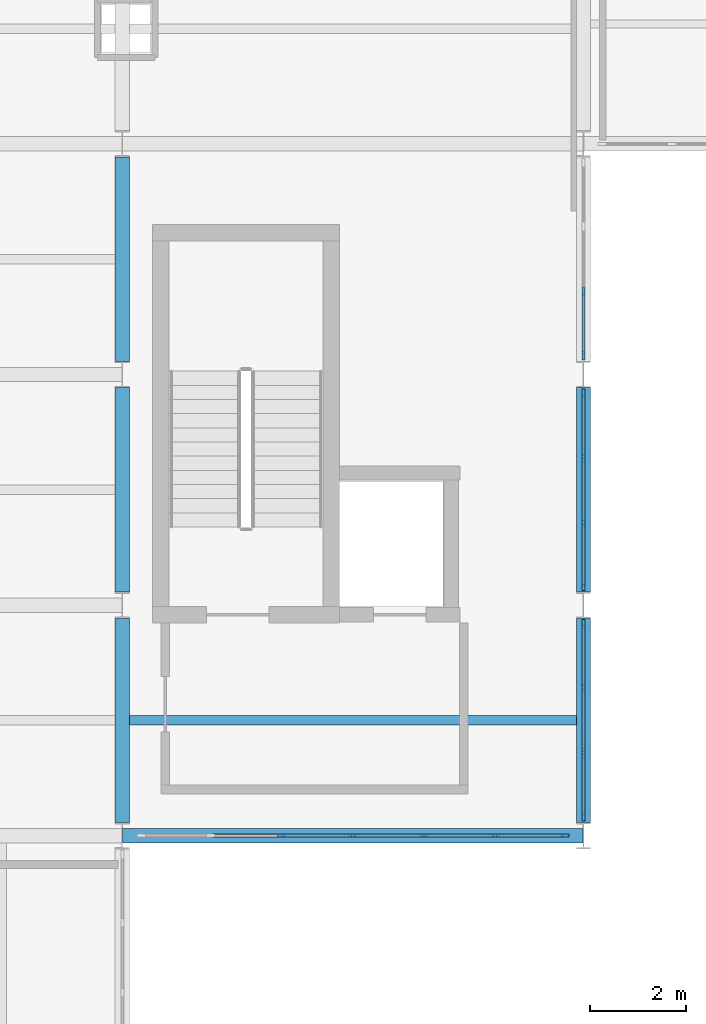
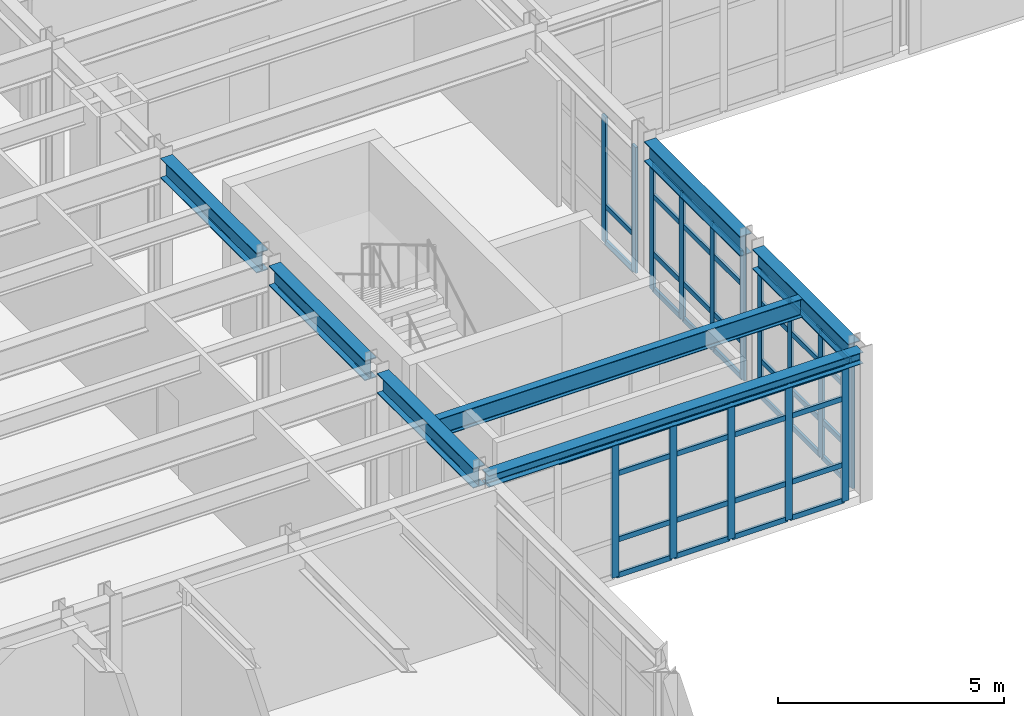
# One storey, part 29 of 88: 58 members, 7 beams, 4 elements without a shape of their own.
"""IFC4 building model written with IfcOpenShell, lengths in metres."""

from ifc_helpers import new_model, si_unit, direction, frame, origin, origin_2d, place, context, subcontext, project, spatial, rectangle, i_section, extrude, material, layer, layer_set, material_profile, profile_set, type_object, element, aggregate, save


model = new_model("IFC4")

# Units and contexts
model_context = context("Model", 3, precision=1e-05, world=origin(), true_north=direction((0.0, 1.0)))
body_context = subcontext(model_context, "Body", "Model", "MODEL_VIEW")
ifc_project = project(units=[si_unit("LENGTHUNIT", "METRE"), si_unit("AREAUNIT", "SQUARE_METRE"), si_unit("VOLUMEUNIT", "CUBIC_METRE"), si_unit("PLANEANGLEUNIT", "RADIAN"), si_unit("MASSUNIT", "GRAM", prefix="KILO")], contexts=[model_context])

# Site, building, storey
site_placement = place(None, origin())
site = spatial("IfcSite", under=ifc_project, at=site_placement, CompositionType="ELEMENT")
building_placement = place(site_placement, origin())
building = spatial("IfcBuilding", under=site, at=building_placement, Name="Nordkorset Police Headquarters", CompositionType="ELEMENT")
storey_placement = place(building_placement, frame((0.0, 0.0, 9.449951171875)))
storey = spatial("IfcBuildingStorey", under=building, at=storey_placement, Name="L02", CompositionType="ELEMENT", Elevation=9.449951171875)

# Beam
ifc_material_1 = material(Name="Steel S355J2", Category="steel")
ifc_material_profile_1 = material_profile(ifc_material_1, i_section(OverallWidth=0.199951171875, OverallDepth=0.5, WebThickness=0.01025390625, FlangeThickness=0.01611328125, FilletRadius=0.02099609375, at=origin_2d()), Name="IPE 500")
ifc_profile_set_1 = profile_set([ifc_material_profile_1], Name="Steel S355J2")
beam_type_1 = type_object("IfcBeamType", Name="Beam_IPE_500", PredefinedType="BEAM", material=ifc_profile_set_1)
beam_1_placement = place(storey_placement, frame((19.35009765625, 85.60009765625, 3.719970703125), z_axis=(1.0, 0.0, 0.0), x_axis=(0.0, 1.0, 0.0)))
element("IfcBeam", 1, at=beam_1_placement, inside=storey, type_object=beam_type_1, Name="Composite Floor Beam V1 L02 1-0-1", PredefinedType="BEAM", context=body_context, shape_type="SweptSolid", body=[
    extrude(i_section(OverallWidth=0.199951171875, OverallDepth=0.5, WebThickness=0.01025390625, FlangeThickness=0.01611328125, FilletRadius=0.02099609375, at=origin_2d()), origin(), (0.0, 0.0, 1.0), 9.2998046875),
])

# Curtain wall, members
ifc_material_2 = material(Name="Aluminium alloy AW-6060", Category="aluminium")
ifc_layer_1 = layer(ifc_material_2, 0.179931640625, Name="Aluminium alloy AW-6060")
ifc_layer_set_1 = layer_set([ifc_layer_1], Name="Aluminium alloy AW-6060")
curtain_wall_type_1 = type_object("IfcCurtainWallType", Name="CW_Unit_408x341", PredefinedType="USERDEFINED", material=ifc_layer_set_1)
curtain_wall_1_placement = place(storey_placement, origin())
curtain_wall_1 = element("IfcCurtainWall", 2, at=curtain_wall_1_placement, inside=storey, type_object=curtain_wall_type_1, Name="Unitised Curtain Wall L02 V1E-0", ObjectType="UNITISED CURTAIN WALL", PredefinedType="USERDEFINED")
ifc_material_3 = material(Name="Aluminium alloy AW-6060", Category="aluminium")
ifc_material_profile_2 = material_profile(ifc_material_3, rectangle(XDim=0.06494140625, YDim=0.179931640625, at=origin_2d()), Name="ALU MULL 65x180")
ifc_profile_set_2 = profile_set([ifc_material_profile_2], Name="Aluminium alloy AW-6060")
member_type_1 = type_object("IfcMemberType", Name="CW_Mullion_65x180", PredefinedType="MULLION", material=ifc_profile_set_2)
member_1_placement = place(storey_placement, frame((28.800048828125, 83.592529296875, 0.0), z_axis=(0.0, 0.0, 1.0), x_axis=(-1.0, 0.0, 0.0)))
member_1 = element("IfcMember", 3, at=member_1_placement, type_object=member_type_1, Name="CW-40 mullion 1", PredefinedType="MULLION", context=body_context, shape_type="SweptSolid", body=[
    extrude(rectangle(XDim=0.06494140625, YDim=0.179931640625, at=origin_2d()), origin(), (0.0, 0.0, 1.0), 3.41015625),
])
member_2_placement = place(storey_placement, frame((28.800048828125, 84.919921875, 0.0), z_axis=(0.0, 0.0, 1.0), x_axis=(-1.0, 0.0, 0.0)))
member_2 = element("IfcMember", 4, at=member_2_placement, type_object=member_type_1, Name="CW-40 mullion 2", PredefinedType="MULLION", context=body_context, shape_type="SweptSolid", body=[
    extrude(rectangle(XDim=0.06494140625, YDim=0.179931640625, at=origin_2d()), origin(), (0.0, 0.0, 1.0), 3.41015625),
])
member_3_placement = place(storey_placement, frame((28.800048828125, 86.280029296875, 0.0), z_axis=(0.0, 0.0, 1.0), x_axis=(-1.0, 0.0, 0.0)))
member_3 = element("IfcMember", 5, at=member_3_placement, type_object=member_type_1, Name="CW-40 mullion 3", PredefinedType="MULLION", context=body_context, shape_type="SweptSolid", body=[
    extrude(rectangle(XDim=0.06494140625, YDim=0.179931640625, at=origin_2d()), origin(), (0.0, 0.0, 1.0), 3.41015625),
])
member_4_placement = place(storey_placement, frame((28.800048828125, 87.607421875, 0.0), z_axis=(0.0, 0.0, 1.0), x_axis=(-1.0, 0.0, 0.0)))
member_4 = element("IfcMember", 6, at=member_4_placement, type_object=member_type_1, Name="CW-40 mullion 4", PredefinedType="MULLION", context=body_context, shape_type="SweptSolid", body=[
    extrude(rectangle(XDim=0.06494140625, YDim=0.179931640625, at=origin_2d()), origin(), (0.0, 0.0, 1.0), 3.41015625),
])

curtain_wall_2_placement = place(storey_placement, origin())
curtain_wall_2 = element("IfcCurtainWall", 7, at=curtain_wall_2_placement, inside=storey, type_object=curtain_wall_type_1, Name="Unitised Curtain Wall L02 V1E-1", ObjectType="UNITISED CURTAIN WALL", PredefinedType="USERDEFINED")
member_5_placement = place(storey_placement, frame((28.800048828125, 88.392578125, 0.0), z_axis=(0.0, 0.0, 1.0), x_axis=(-1.0, 0.0, 0.0)))
member_5 = element("IfcMember", 8, at=member_5_placement, type_object=member_type_1, Name="CW-40 mullion 1", PredefinedType="MULLION", context=body_context, shape_type="SweptSolid", body=[
    extrude(rectangle(XDim=0.06494140625, YDim=0.179931640625, at=origin_2d()), origin(), (0.0, 0.0, 1.0), 3.41015625),
])
member_6_placement = place(storey_placement, frame((28.800048828125, 89.719970703125, 0.0), z_axis=(0.0, 0.0, 1.0), x_axis=(-1.0, 0.0, 0.0)))
member_6 = element("IfcMember", 9, at=member_6_placement, type_object=member_type_1, Name="CW-40 mullion 2", PredefinedType="MULLION", context=body_context, shape_type="SweptSolid", body=[
    extrude(rectangle(XDim=0.06494140625, YDim=0.179931640625, at=origin_2d()), origin(), (0.0, 0.0, 1.0), 3.41015625),
])
member_7_placement = place(storey_placement, frame((28.800048828125, 91.080078125, 0.0), z_axis=(0.0, 0.0, 1.0), x_axis=(-1.0, 0.0, 0.0)))
member_7 = element("IfcMember", 10, at=member_7_placement, type_object=member_type_1, Name="CW-40 mullion 3", PredefinedType="MULLION", context=body_context, shape_type="SweptSolid", body=[
    extrude(rectangle(XDim=0.06494140625, YDim=0.179931640625, at=origin_2d()), origin(), (0.0, 0.0, 1.0), 3.41015625),
])
member_8_placement = place(storey_placement, frame((28.800048828125, 92.407470703125, 0.0), z_axis=(0.0, 0.0, 1.0), x_axis=(-1.0, 0.0, 0.0)))
member_8 = element("IfcMember", 11, at=member_8_placement, type_object=member_type_1, Name="CW-40 mullion 4", PredefinedType="MULLION", context=body_context, shape_type="SweptSolid", body=[
    extrude(rectangle(XDim=0.06494140625, YDim=0.179931640625, at=origin_2d()), origin(), (0.0, 0.0, 1.0), 3.41015625),
])

curtain_wall_3_placement = place(storey_placement, origin())
curtain_wall_3 = element("IfcCurtainWall", 12, at=curtain_wall_3_placement, inside=storey, type_object=curtain_wall_type_1, Name="Unitised Curtain Wall L02 V1E-2", ObjectType="UNITISED CURTAIN WALL", PredefinedType="USERDEFINED")
member_9_placement = place(storey_placement, frame((28.800048828125, 93.1923828125, 0.0), z_axis=(0.0, 0.0, 1.0), x_axis=(-1.0, 0.0, 0.0)))
member_9 = element("IfcMember", 13, at=member_9_placement, type_object=member_type_1, Name="CW-40 mullion 1", PredefinedType="MULLION", context=body_context, shape_type="SweptSolid", body=[
    extrude(rectangle(XDim=0.06494140625, YDim=0.179931640625, at=origin_2d()), origin(), (0.0, 0.0, 1.0), 3.41015625),
])
member_10_placement = place(storey_placement, frame((28.800048828125, 94.52001953125, 0.0), z_axis=(0.0, 0.0, 1.0), x_axis=(-1.0, 0.0, 0.0)))
member_10 = element("IfcMember", 14, at=member_10_placement, type_object=member_type_1, Name="CW-40 mullion 2", PredefinedType="MULLION", context=body_context, shape_type="SweptSolid", body=[
    extrude(rectangle(XDim=0.06494140625, YDim=0.179931640625, at=origin_2d()), origin(), (0.0, 0.0, 1.0), 3.41015625),
])

ifc_material_4 = material(Name="Aluminium alloy AW-6060", Category="aluminium")
ifc_layer_2 = layer(ifc_material_4, 0.179931640625, Name="Aluminium alloy AW-6060")
ifc_layer_set_2 = layer_set([ifc_layer_2], Name="Aluminium alloy AW-6060")
curtain_wall_type_2 = type_object("IfcCurtainWallType", Name="CW_Unit_888x364", PredefinedType="USERDEFINED", material=ifc_layer_set_2)
curtain_wall_4_placement = place(storey_placement, origin())
curtain_wall_4 = element("IfcCurtainWall", 15, at=curtain_wall_4_placement, inside=storey, type_object=curtain_wall_type_2, Name="Unitised Curtain Wall L02 V1S-2", ObjectType="UNITISED CURTAIN WALL", PredefinedType="USERDEFINED")
member_11_placement = place(storey_placement, frame((22.52001953125, 83.199951171875, 0.0), z_axis=(0.0, 0.0, 1.0), x_axis=(0.0, 1.0, 0.0)))
member_11 = element("IfcMember", 16, at=member_11_placement, type_object=member_type_1, Name="CW-53 mullion 3", PredefinedType="MULLION", context=body_context, shape_type="SweptSolid", body=[
    extrude(rectangle(XDim=0.06494140625, YDim=0.179931640625, at=origin_2d()), origin(), (0.0, 0.0, 1.0), 3.64013671875),
])
member_12_placement = place(storey_placement, frame((24.0, 83.199951171875, 0.0), z_axis=(0.0, 0.0, 1.0), x_axis=(0.0, 1.0, 0.0)))
member_12 = element("IfcMember", 17, at=member_12_placement, type_object=member_type_1, Name="CW-53 mullion 4", PredefinedType="MULLION", context=body_context, shape_type="SweptSolid", body=[
    extrude(rectangle(XDim=0.06494140625, YDim=0.179931640625, at=origin_2d()), origin(), (0.0, 0.0, 1.0), 3.64013671875),
])
member_13_placement = place(storey_placement, frame((25.47998046875, 83.199951171875, 0.0), z_axis=(0.0, 0.0, 1.0), x_axis=(0.0, 1.0, 0.0)))
member_13 = element("IfcMember", 18, at=member_13_placement, type_object=member_type_1, Name="CW-53 mullion 5", PredefinedType="MULLION", context=body_context, shape_type="SweptSolid", body=[
    extrude(rectangle(XDim=0.06494140625, YDim=0.179931640625, at=origin_2d()), origin(), (0.0, 0.0, 1.0), 3.64013671875),
])
member_14_placement = place(storey_placement, frame((26.9599609375, 83.199951171875, 0.0), z_axis=(0.0, 0.0, 1.0), x_axis=(0.0, 1.0, 0.0)))
member_14 = element("IfcMember", 19, at=member_14_placement, type_object=member_type_1, Name="CW-53 mullion 6", PredefinedType="MULLION", context=body_context, shape_type="SweptSolid", body=[
    extrude(rectangle(XDim=0.06494140625, YDim=0.179931640625, at=origin_2d()), origin(), (0.0, 0.0, 1.0), 3.64013671875),
])
member_15_placement = place(storey_placement, frame((28.407470703125, 83.199951171875, 0.0), z_axis=(0.0, 0.0, 1.0), x_axis=(0.0, 1.0, 0.0)))
member_15 = element("IfcMember", 20, at=member_15_placement, type_object=member_type_1, Name="CW-53 mullion 7", PredefinedType="MULLION", context=body_context, shape_type="SweptSolid", body=[
    extrude(rectangle(XDim=0.06494140625, YDim=0.179931640625, at=origin_2d()), origin(), (0.0, 0.0, 1.0), 3.64013671875),
])

# Member
ifc_material_5 = material(Name="Aluminium alloy AW-6060", Category="aluminium")
ifc_material_profile_3 = material_profile(ifc_material_5, rectangle(XDim=0.06494140625, YDim=0.139892578125, at=origin_2d()), Name="ALU TRAN 65x140")
ifc_profile_set_3 = profile_set([ifc_material_profile_3], Name="Aluminium alloy AW-6060")
member_type_2 = type_object("IfcMemberType", Name="CW_Transom_65x140", PredefinedType="USERDEFINED", material=ifc_profile_set_3)
member_16_placement = place(storey_placement, frame((28.800048828125, 83.625, 0.032470703125), z_axis=(0.0, 1.0, 0.0), x_axis=(-1.0, 0.0, 0.0)))
member_16 = element("IfcMember", 21, at=member_16_placement, type_object=member_type_2, Name="CW-40 transom 1.1", ObjectType="TRANSOM", PredefinedType="USERDEFINED", context=body_context, shape_type="SweptSolid", body=[
    extrude(rectangle(XDim=0.06494140625, YDim=0.139892578125, at=origin_2d()), origin(), (0.0, 0.0, 1.0), 1.262451171875),
])

member_17_placement = place(storey_placement, frame((28.800048828125, 83.625, 1.0), z_axis=(0.0, 1.0, 0.0), x_axis=(-1.0, 0.0, 0.0)))
member_17 = element("IfcMember", 22, at=member_17_placement, type_object=member_type_2, Name="CW-40 transom 1.2", ObjectType="TRANSOM", PredefinedType="USERDEFINED", context=body_context, shape_type="SweptSolid", body=[
    extrude(rectangle(XDim=0.06494140625, YDim=0.139892578125, at=origin_2d()), origin(), (0.0, 0.0, 1.0), 1.262451171875),
])

member_18_placement = place(storey_placement, frame((28.800048828125, 83.625, 2.56005859375), z_axis=(0.0, 1.0, 0.0), x_axis=(-1.0, 0.0, 0.0)))
member_18 = element("IfcMember", 23, at=member_18_placement, type_object=member_type_2, Name="CW-40 transom 1.3", ObjectType="TRANSOM", PredefinedType="USERDEFINED", context=body_context, shape_type="SweptSolid", body=[
    extrude(rectangle(XDim=0.06494140625, YDim=0.139892578125, at=origin_2d()), origin(), (0.0, 0.0, 1.0), 1.262451171875),
])

member_19_placement = place(storey_placement, frame((28.800048828125, 83.625, 3.37744140625), z_axis=(0.0, 1.0, 0.0), x_axis=(-1.0, 0.0, 0.0)))
member_19 = element("IfcMember", 24, at=member_19_placement, type_object=member_type_2, Name="CW-40 transom 1.4", ObjectType="TRANSOM", PredefinedType="USERDEFINED", context=body_context, shape_type="SweptSolid", body=[
    extrude(rectangle(XDim=0.06494140625, YDim=0.139892578125, at=origin_2d()), origin(), (0.0, 0.0, 1.0), 1.262451171875),
])

member_20_placement = place(storey_placement, frame((28.800048828125, 84.952392578125, 0.032470703125), z_axis=(0.0, 1.0, 0.0), x_axis=(-1.0, 0.0, 0.0)))
member_20 = element("IfcMember", 25, at=member_20_placement, type_object=member_type_2, Name="CW-40 transom 2.1", ObjectType="TRANSOM", PredefinedType="USERDEFINED", context=body_context, shape_type="SweptSolid", body=[
    extrude(rectangle(XDim=0.06494140625, YDim=0.139892578125, at=origin_2d()), origin(), (0.0, 0.0, 1.0), 1.295166015625),
])

member_21_placement = place(storey_placement, frame((28.800048828125, 84.952392578125, 1.0), z_axis=(0.0, 1.0, 0.0), x_axis=(-1.0, 0.0, 0.0)))
member_21 = element("IfcMember", 26, at=member_21_placement, type_object=member_type_2, Name="CW-40 transom 2.2", ObjectType="TRANSOM", PredefinedType="USERDEFINED", context=body_context, shape_type="SweptSolid", body=[
    extrude(rectangle(XDim=0.06494140625, YDim=0.139892578125, at=origin_2d()), origin(), (0.0, 0.0, 1.0), 1.295166015625),
])

member_22_placement = place(storey_placement, frame((28.800048828125, 84.952392578125, 2.56005859375), z_axis=(0.0, 1.0, 0.0), x_axis=(-1.0, 0.0, 0.0)))
member_22 = element("IfcMember", 27, at=member_22_placement, type_object=member_type_2, Name="CW-40 transom 2.3", ObjectType="TRANSOM", PredefinedType="USERDEFINED", context=body_context, shape_type="SweptSolid", body=[
    extrude(rectangle(XDim=0.06494140625, YDim=0.139892578125, at=origin_2d()), origin(), (0.0, 0.0, 1.0), 1.295166015625),
])

member_23_placement = place(storey_placement, frame((28.800048828125, 84.952392578125, 3.37744140625), z_axis=(0.0, 1.0, 0.0), x_axis=(-1.0, 0.0, 0.0)))
member_23 = element("IfcMember", 28, at=member_23_placement, type_object=member_type_2, Name="CW-40 transom 2.4", ObjectType="TRANSOM", PredefinedType="USERDEFINED", context=body_context, shape_type="SweptSolid", body=[
    extrude(rectangle(XDim=0.06494140625, YDim=0.139892578125, at=origin_2d()), origin(), (0.0, 0.0, 1.0), 1.295166015625),
])

member_24_placement = place(storey_placement, frame((28.800048828125, 86.3125, 0.032470703125), z_axis=(0.0, 1.0, 0.0), x_axis=(-1.0, 0.0, 0.0)))
member_24 = element("IfcMember", 29, at=member_24_placement, type_object=member_type_2, Name="CW-40 transom 3.1", ObjectType="TRANSOM", PredefinedType="USERDEFINED", context=body_context, shape_type="SweptSolid", body=[
    extrude(rectangle(XDim=0.06494140625, YDim=0.139892578125, at=origin_2d()), origin(), (0.0, 0.0, 1.0), 1.262451171875),
])

member_25_placement = place(storey_placement, frame((28.800048828125, 86.3125, 1.0), z_axis=(0.0, 1.0, 0.0), x_axis=(-1.0, 0.0, 0.0)))
member_25 = element("IfcMember", 30, at=member_25_placement, type_object=member_type_2, Name="CW-40 transom 3.2", ObjectType="TRANSOM", PredefinedType="USERDEFINED", context=body_context, shape_type="SweptSolid", body=[
    extrude(rectangle(XDim=0.06494140625, YDim=0.139892578125, at=origin_2d()), origin(), (0.0, 0.0, 1.0), 1.262451171875),
])

member_26_placement = place(storey_placement, frame((28.800048828125, 86.3125, 2.56005859375), z_axis=(0.0, 1.0, 0.0), x_axis=(-1.0, 0.0, 0.0)))
member_26 = element("IfcMember", 31, at=member_26_placement, type_object=member_type_2, Name="CW-40 transom 3.3", ObjectType="TRANSOM", PredefinedType="USERDEFINED", context=body_context, shape_type="SweptSolid", body=[
    extrude(rectangle(XDim=0.06494140625, YDim=0.139892578125, at=origin_2d()), origin(), (0.0, 0.0, 1.0), 1.262451171875),
])

member_27_placement = place(storey_placement, frame((28.800048828125, 86.3125, 3.37744140625), z_axis=(0.0, 1.0, 0.0), x_axis=(-1.0, 0.0, 0.0)))
member_27 = element("IfcMember", 32, at=member_27_placement, type_object=member_type_2, Name="CW-40 transom 3.4", ObjectType="TRANSOM", PredefinedType="USERDEFINED", context=body_context, shape_type="SweptSolid", body=[
    extrude(rectangle(XDim=0.06494140625, YDim=0.139892578125, at=origin_2d()), origin(), (0.0, 0.0, 1.0), 1.262451171875),
])

aggregate(curtain_wall_1, [member_1, member_2, member_3, member_4, member_16, member_17, member_18, member_19, member_20, member_21, member_22, member_23, member_24, member_25, member_26, member_27])

member_28_placement = place(storey_placement, frame((28.800048828125, 88.425048828125, 0.032470703125), z_axis=(0.0, 1.0, 0.0), x_axis=(-1.0, 0.0, 0.0)))
member_28 = element("IfcMember", 33, at=member_28_placement, type_object=member_type_2, Name="CW-40 transom 1.1", ObjectType="TRANSOM", PredefinedType="USERDEFINED", context=body_context, shape_type="SweptSolid", body=[
    extrude(rectangle(XDim=0.06494140625, YDim=0.139892578125, at=origin_2d()), origin(), (0.0, 0.0, 1.0), 1.262451171875),
])

member_29_placement = place(storey_placement, frame((28.800048828125, 88.425048828125, 1.0), z_axis=(0.0, 1.0, 0.0), x_axis=(-1.0, 0.0, 0.0)))
member_29 = element("IfcMember", 34, at=member_29_placement, type_object=member_type_2, Name="CW-40 transom 1.2", ObjectType="TRANSOM", PredefinedType="USERDEFINED", context=body_context, shape_type="SweptSolid", body=[
    extrude(rectangle(XDim=0.06494140625, YDim=0.139892578125, at=origin_2d()), origin(), (0.0, 0.0, 1.0), 1.262451171875),
])

member_30_placement = place(storey_placement, frame((28.800048828125, 88.425048828125, 2.56005859375), z_axis=(0.0, 1.0, 0.0), x_axis=(-1.0, 0.0, 0.0)))
member_30 = element("IfcMember", 35, at=member_30_placement, type_object=member_type_2, Name="CW-40 transom 1.3", ObjectType="TRANSOM", PredefinedType="USERDEFINED", context=body_context, shape_type="SweptSolid", body=[
    extrude(rectangle(XDim=0.06494140625, YDim=0.139892578125, at=origin_2d()), origin(), (0.0, 0.0, 1.0), 1.262451171875),
])

member_31_placement = place(storey_placement, frame((28.800048828125, 88.425048828125, 3.37744140625), z_axis=(0.0, 1.0, 0.0), x_axis=(-1.0, 0.0, 0.0)))
member_31 = element("IfcMember", 36, at=member_31_placement, type_object=member_type_2, Name="CW-40 transom 1.4", ObjectType="TRANSOM", PredefinedType="USERDEFINED", context=body_context, shape_type="SweptSolid", body=[
    extrude(rectangle(XDim=0.06494140625, YDim=0.139892578125, at=origin_2d()), origin(), (0.0, 0.0, 1.0), 1.262451171875),
])

member_32_placement = place(storey_placement, frame((28.800048828125, 89.75244140625, 0.032470703125), z_axis=(0.0, 1.0, 0.0), x_axis=(-1.0, 0.0, 0.0)))
member_32 = element("IfcMember", 37, at=member_32_placement, type_object=member_type_2, Name="CW-40 transom 2.1", ObjectType="TRANSOM", PredefinedType="USERDEFINED", context=body_context, shape_type="SweptSolid", body=[
    extrude(rectangle(XDim=0.06494140625, YDim=0.139892578125, at=origin_2d()), origin(), (0.0, 0.0, 1.0), 1.295166015625),
])

member_33_placement = place(storey_placement, frame((28.800048828125, 89.75244140625, 1.0), z_axis=(0.0, 1.0, 0.0), x_axis=(-1.0, 0.0, 0.0)))
member_33 = element("IfcMember", 38, at=member_33_placement, type_object=member_type_2, Name="CW-40 transom 2.2", ObjectType="TRANSOM", PredefinedType="USERDEFINED", context=body_context, shape_type="SweptSolid", body=[
    extrude(rectangle(XDim=0.06494140625, YDim=0.139892578125, at=origin_2d()), origin(), (0.0, 0.0, 1.0), 1.295166015625),
])

member_34_placement = place(storey_placement, frame((28.800048828125, 89.75244140625, 2.56005859375), z_axis=(0.0, 1.0, 0.0), x_axis=(-1.0, 0.0, 0.0)))
member_34 = element("IfcMember", 39, at=member_34_placement, type_object=member_type_2, Name="CW-40 transom 2.3", ObjectType="TRANSOM", PredefinedType="USERDEFINED", context=body_context, shape_type="SweptSolid", body=[
    extrude(rectangle(XDim=0.06494140625, YDim=0.139892578125, at=origin_2d()), origin(), (0.0, 0.0, 1.0), 1.295166015625),
])

member_35_placement = place(storey_placement, frame((28.800048828125, 89.75244140625, 3.37744140625), z_axis=(0.0, 1.0, 0.0), x_axis=(-1.0, 0.0, 0.0)))
member_35 = element("IfcMember", 40, at=member_35_placement, type_object=member_type_2, Name="CW-40 transom 2.4", ObjectType="TRANSOM", PredefinedType="USERDEFINED", context=body_context, shape_type="SweptSolid", body=[
    extrude(rectangle(XDim=0.06494140625, YDim=0.139892578125, at=origin_2d()), origin(), (0.0, 0.0, 1.0), 1.295166015625),
])

member_36_placement = place(storey_placement, frame((28.800048828125, 91.112548828125, 0.032470703125), z_axis=(0.0, 1.0, 0.0), x_axis=(-1.0, 0.0, 0.0)))
member_36 = element("IfcMember", 41, at=member_36_placement, type_object=member_type_2, Name="CW-40 transom 3.1", ObjectType="TRANSOM", PredefinedType="USERDEFINED", context=body_context, shape_type="SweptSolid", body=[
    extrude(rectangle(XDim=0.06494140625, YDim=0.139892578125, at=origin_2d()), origin(), (0.0, 0.0, 1.0), 1.262451171875),
])

member_37_placement = place(storey_placement, frame((28.800048828125, 91.112548828125, 1.0), z_axis=(0.0, 1.0, 0.0), x_axis=(-1.0, 0.0, 0.0)))
member_37 = element("IfcMember", 42, at=member_37_placement, type_object=member_type_2, Name="CW-40 transom 3.2", ObjectType="TRANSOM", PredefinedType="USERDEFINED", context=body_context, shape_type="SweptSolid", body=[
    extrude(rectangle(XDim=0.06494140625, YDim=0.139892578125, at=origin_2d()), origin(), (0.0, 0.0, 1.0), 1.262451171875),
])

member_38_placement = place(storey_placement, frame((28.800048828125, 91.112548828125, 2.56005859375), z_axis=(0.0, 1.0, 0.0), x_axis=(-1.0, 0.0, 0.0)))
member_38 = element("IfcMember", 43, at=member_38_placement, type_object=member_type_2, Name="CW-40 transom 3.3", ObjectType="TRANSOM", PredefinedType="USERDEFINED", context=body_context, shape_type="SweptSolid", body=[
    extrude(rectangle(XDim=0.06494140625, YDim=0.139892578125, at=origin_2d()), origin(), (0.0, 0.0, 1.0), 1.262451171875),
])

member_39_placement = place(storey_placement, frame((28.800048828125, 91.112548828125, 3.37744140625), z_axis=(0.0, 1.0, 0.0), x_axis=(-1.0, 0.0, 0.0)))
member_39 = element("IfcMember", 44, at=member_39_placement, type_object=member_type_2, Name="CW-40 transom 3.4", ObjectType="TRANSOM", PredefinedType="USERDEFINED", context=body_context, shape_type="SweptSolid", body=[
    extrude(rectangle(XDim=0.06494140625, YDim=0.139892578125, at=origin_2d()), origin(), (0.0, 0.0, 1.0), 1.262451171875),
])

aggregate(curtain_wall_2, [member_5, member_6, member_7, member_8, member_28, member_29, member_30, member_31, member_32, member_33, member_34, member_35, member_36, member_37, member_38, member_39])

member_40_placement = place(storey_placement, frame((28.800048828125, 93.22509765625, 0.032470703125), z_axis=(0.0, 1.0, 0.0), x_axis=(-1.0, 0.0, 0.0)))
member_40 = element("IfcMember", 45, at=member_40_placement, type_object=member_type_2, Name="CW-40 transom 1.1", ObjectType="TRANSOM", PredefinedType="USERDEFINED", context=body_context, shape_type="SweptSolid", body=[
    extrude(rectangle(XDim=0.06494140625, YDim=0.139892578125, at=origin_2d()), origin(), (0.0, 0.0, 1.0), 1.262451171875),
])

member_41_placement = place(storey_placement, frame((28.800048828125, 93.22509765625, 1.0), z_axis=(0.0, 1.0, 0.0), x_axis=(-1.0, 0.0, 0.0)))
member_41 = element("IfcMember", 46, at=member_41_placement, type_object=member_type_2, Name="CW-40 transom 1.2", ObjectType="TRANSOM", PredefinedType="USERDEFINED", context=body_context, shape_type="SweptSolid", body=[
    extrude(rectangle(XDim=0.06494140625, YDim=0.139892578125, at=origin_2d()), origin(), (0.0, 0.0, 1.0), 1.262451171875),
])

aggregate(curtain_wall_3, [member_9, member_10, member_40, member_41])

member_42_placement = place(storey_placement, frame((21.072509765625, 83.199951171875, 3.607666015625), z_axis=(1.0, 0.0, 0.0), x_axis=(0.0, 1.0, 0.0)))
member_42 = element("IfcMember", 47, at=member_42_placement, type_object=member_type_2, Name="CW-53 transom 2.4", ObjectType="TRANSOM", PredefinedType="USERDEFINED", context=body_context, shape_type="SweptSolid", body=[
    extrude(rectangle(XDim=0.06494140625, YDim=0.139892578125, at=origin_2d()), origin(), (0.0, 0.0, 1.0), 1.4150390625),
])

member_43_placement = place(storey_placement, frame((22.552490234375, 83.199951171875, 0.032470703125), z_axis=(1.0, 0.0, 0.0), x_axis=(0.0, 1.0, 0.0)))
member_43 = element("IfcMember", 48, at=member_43_placement, type_object=member_type_2, Name="CW-53 transom 3.1", ObjectType="TRANSOM", PredefinedType="USERDEFINED", context=body_context, shape_type="SweptSolid", body=[
    extrude(rectangle(XDim=0.06494140625, YDim=0.139892578125, at=origin_2d()), origin(), (0.0, 0.0, 1.0), 1.4150390625),
])

member_44_placement = place(storey_placement, frame((22.552490234375, 83.199951171875, 1.0), z_axis=(1.0, 0.0, 0.0), x_axis=(0.0, 1.0, 0.0)))
member_44 = element("IfcMember", 49, at=member_44_placement, type_object=member_type_2, Name="CW-53 transom 3.2", ObjectType="TRANSOM", PredefinedType="USERDEFINED", context=body_context, shape_type="SweptSolid", body=[
    extrude(rectangle(XDim=0.06494140625, YDim=0.139892578125, at=origin_2d()), origin(), (0.0, 0.0, 1.0), 1.4150390625),
])

member_45_placement = place(storey_placement, frame((22.552490234375, 83.199951171875, 2.7900390625), z_axis=(1.0, 0.0, 0.0), x_axis=(0.0, 1.0, 0.0)))
member_45 = element("IfcMember", 50, at=member_45_placement, type_object=member_type_2, Name="CW-53 transom 3.3", ObjectType="TRANSOM", PredefinedType="USERDEFINED", context=body_context, shape_type="SweptSolid", body=[
    extrude(rectangle(XDim=0.06494140625, YDim=0.139892578125, at=origin_2d()), origin(), (0.0, 0.0, 1.0), 1.4150390625),
])

member_46_placement = place(storey_placement, frame((22.552490234375, 83.199951171875, 3.607666015625), z_axis=(1.0, 0.0, 0.0), x_axis=(0.0, 1.0, 0.0)))
member_46 = element("IfcMember", 51, at=member_46_placement, type_object=member_type_2, Name="CW-53 transom 3.4", ObjectType="TRANSOM", PredefinedType="USERDEFINED", context=body_context, shape_type="SweptSolid", body=[
    extrude(rectangle(XDim=0.06494140625, YDim=0.139892578125, at=origin_2d()), origin(), (0.0, 0.0, 1.0), 1.4150390625),
])

member_47_placement = place(storey_placement, frame((24.032470703125, 83.199951171875, 0.032470703125), z_axis=(1.0, 0.0, 0.0), x_axis=(0.0, 1.0, 0.0)))
member_47 = element("IfcMember", 52, at=member_47_placement, type_object=member_type_2, Name="CW-53 transom 4.1", ObjectType="TRANSOM", PredefinedType="USERDEFINED", context=body_context, shape_type="SweptSolid", body=[
    extrude(rectangle(XDim=0.06494140625, YDim=0.139892578125, at=origin_2d()), origin(), (0.0, 0.0, 1.0), 1.4150390625),
])

member_48_placement = place(storey_placement, frame((24.032470703125, 83.199951171875, 1.0), z_axis=(1.0, 0.0, 0.0), x_axis=(0.0, 1.0, 0.0)))
member_48 = element("IfcMember", 53, at=member_48_placement, type_object=member_type_2, Name="CW-53 transom 4.2", ObjectType="TRANSOM", PredefinedType="USERDEFINED", context=body_context, shape_type="SweptSolid", body=[
    extrude(rectangle(XDim=0.06494140625, YDim=0.139892578125, at=origin_2d()), origin(), (0.0, 0.0, 1.0), 1.4150390625),
])

member_49_placement = place(storey_placement, frame((24.032470703125, 83.199951171875, 2.7900390625), z_axis=(1.0, 0.0, 0.0), x_axis=(0.0, 1.0, 0.0)))
member_49 = element("IfcMember", 54, at=member_49_placement, type_object=member_type_2, Name="CW-53 transom 4.3", ObjectType="TRANSOM", PredefinedType="USERDEFINED", context=body_context, shape_type="SweptSolid", body=[
    extrude(rectangle(XDim=0.06494140625, YDim=0.139892578125, at=origin_2d()), origin(), (0.0, 0.0, 1.0), 1.4150390625),
])

member_50_placement = place(storey_placement, frame((24.032470703125, 83.199951171875, 3.607666015625), z_axis=(1.0, 0.0, 0.0), x_axis=(0.0, 1.0, 0.0)))
member_50 = element("IfcMember", 55, at=member_50_placement, type_object=member_type_2, Name="CW-53 transom 4.4", ObjectType="TRANSOM", PredefinedType="USERDEFINED", context=body_context, shape_type="SweptSolid", body=[
    extrude(rectangle(XDim=0.06494140625, YDim=0.139892578125, at=origin_2d()), origin(), (0.0, 0.0, 1.0), 1.4150390625),
])

member_51_placement = place(storey_placement, frame((25.512451171875, 83.199951171875, 0.032470703125), z_axis=(1.0, 0.0, 0.0), x_axis=(0.0, 1.0, 0.0)))
member_51 = element("IfcMember", 56, at=member_51_placement, type_object=member_type_2, Name="CW-53 transom 5.1", ObjectType="TRANSOM", PredefinedType="USERDEFINED", context=body_context, shape_type="SweptSolid", body=[
    extrude(rectangle(XDim=0.06494140625, YDim=0.139892578125, at=origin_2d()), origin(), (0.0, 0.0, 1.0), 1.4150390625),
])

member_52_placement = place(storey_placement, frame((25.512451171875, 83.199951171875, 1.0), z_axis=(1.0, 0.0, 0.0), x_axis=(0.0, 1.0, 0.0)))
member_52 = element("IfcMember", 57, at=member_52_placement, type_object=member_type_2, Name="CW-53 transom 5.2", ObjectType="TRANSOM", PredefinedType="USERDEFINED", context=body_context, shape_type="SweptSolid", body=[
    extrude(rectangle(XDim=0.06494140625, YDim=0.139892578125, at=origin_2d()), origin(), (0.0, 0.0, 1.0), 1.4150390625),
])

member_53_placement = place(storey_placement, frame((25.512451171875, 83.199951171875, 2.7900390625), z_axis=(1.0, 0.0, 0.0), x_axis=(0.0, 1.0, 0.0)))
member_53 = element("IfcMember", 58, at=member_53_placement, type_object=member_type_2, Name="CW-53 transom 5.3", ObjectType="TRANSOM", PredefinedType="USERDEFINED", context=body_context, shape_type="SweptSolid", body=[
    extrude(rectangle(XDim=0.06494140625, YDim=0.139892578125, at=origin_2d()), origin(), (0.0, 0.0, 1.0), 1.4150390625),
])

member_54_placement = place(storey_placement, frame((25.512451171875, 83.199951171875, 3.607666015625), z_axis=(1.0, 0.0, 0.0), x_axis=(0.0, 1.0, 0.0)))
member_54 = element("IfcMember", 59, at=member_54_placement, type_object=member_type_2, Name="CW-53 transom 5.4", ObjectType="TRANSOM", PredefinedType="USERDEFINED", context=body_context, shape_type="SweptSolid", body=[
    extrude(rectangle(XDim=0.06494140625, YDim=0.139892578125, at=origin_2d()), origin(), (0.0, 0.0, 1.0), 1.4150390625),
])

member_55_placement = place(storey_placement, frame((26.992431640625, 83.199951171875, 0.032470703125), z_axis=(1.0, 0.0, 0.0), x_axis=(0.0, 1.0, 0.0)))
member_55 = element("IfcMember", 60, at=member_55_placement, type_object=member_type_2, Name="CW-53 transom 6.1", ObjectType="TRANSOM", PredefinedType="USERDEFINED", context=body_context, shape_type="SweptSolid", body=[
    extrude(rectangle(XDim=0.06494140625, YDim=0.139892578125, at=origin_2d()), origin(), (0.0, 0.0, 1.0), 1.382568359375),
])

member_56_placement = place(storey_placement, frame((26.992431640625, 83.199951171875, 1.0), z_axis=(1.0, 0.0, 0.0), x_axis=(0.0, 1.0, 0.0)))
member_56 = element("IfcMember", 61, at=member_56_placement, type_object=member_type_2, Name="CW-53 transom 6.2", ObjectType="TRANSOM", PredefinedType="USERDEFINED", context=body_context, shape_type="SweptSolid", body=[
    extrude(rectangle(XDim=0.06494140625, YDim=0.139892578125, at=origin_2d()), origin(), (0.0, 0.0, 1.0), 1.382568359375),
])

member_57_placement = place(storey_placement, frame((26.992431640625, 83.199951171875, 2.7900390625), z_axis=(1.0, 0.0, 0.0), x_axis=(0.0, 1.0, 0.0)))
member_57 = element("IfcMember", 62, at=member_57_placement, type_object=member_type_2, Name="CW-53 transom 6.3", ObjectType="TRANSOM", PredefinedType="USERDEFINED", context=body_context, shape_type="SweptSolid", body=[
    extrude(rectangle(XDim=0.06494140625, YDim=0.139892578125, at=origin_2d()), origin(), (0.0, 0.0, 1.0), 1.382568359375),
])

member_58_placement = place(storey_placement, frame((26.992431640625, 83.199951171875, 3.607666015625), z_axis=(1.0, 0.0, 0.0), x_axis=(0.0, 1.0, 0.0)))
member_58 = element("IfcMember", 63, at=member_58_placement, type_object=member_type_2, Name="CW-53 transom 6.4", ObjectType="TRANSOM", PredefinedType="USERDEFINED", context=body_context, shape_type="SweptSolid", body=[
    extrude(rectangle(XDim=0.06494140625, YDim=0.139892578125, at=origin_2d()), origin(), (0.0, 0.0, 1.0), 1.382568359375),
])

aggregate(curtain_wall_4, [member_11, member_12, member_13, member_14, member_15, member_42, member_43, member_44, member_45, member_46, member_47, member_48, member_49, member_50, member_51, member_52, member_53, member_54, member_55, member_56, member_57, member_58])

# Beams
ifc_material_6 = material(Name="Steel S355J2", Category="steel")
ifc_material_profile_4 = material_profile(ifc_material_6, i_section(OverallWidth=0.300048828125, OverallDepth=0.5400390625, WebThickness=0.012451171875, FlangeThickness=0.02392578125, FilletRadius=0.027099609375, at=origin_2d()), Name="HEA 550")
ifc_profile_set_4 = profile_set([ifc_material_profile_4], Name="Steel S355J2")
beam_type_2 = type_object("IfcBeamType", Name="Girder_HEA_550", PredefinedType="USERDEFINED", material=ifc_profile_set_4)
for number, where, z_axis, x_axis, name in (
    (64, (19.199951171875, 83.47509765625, 3.699951171875), (0.0, 1.0, 0.0), (-1.0, 0.0, 0.0), "Girder V1 L02 GY-1-0"),
    (65, (19.199951171875, 88.27490234375, 3.699951171875), (0.0, 1.0, 0.0), (-1.0, 0.0, 0.0), "Girder V1 L02 GY-1-1"),
    (66, (19.199951171875, 93.074951171875, 3.699951171875), (0.0, 1.0, 0.0), (-1.0, 0.0, 0.0), "Girder V1 L02 GY-1-2"),
    (67, (28.800048828125, 83.47509765625, 3.699951171875), (0.0, 1.0, 0.0), (-1.0, 0.0, 0.0), "Girder V1 L02 GY-2-0"),
    (68, (28.800048828125, 88.27490234375, 3.699951171875), (0.0, 1.0, 0.0), (-1.0, 0.0, 0.0), "Girder V1 L02 GY-2-1"),
):
    element("IfcBeam", number, at=place(storey_placement, frame(where, z_axis=z_axis, x_axis=x_axis)), inside=storey, type_object=beam_type_2, Name=name, ObjectType="GIRDER", PredefinedType="USERDEFINED", context=body_context, shape_type="SweptSolid", body=[
        extrude(i_section(OverallWidth=0.300048828125, OverallDepth=0.5400390625, WebThickness=0.012451171875, FlangeThickness=0.02392578125, FilletRadius=0.027099609375, at=origin_2d()), origin(), (0.0, 0.0, 1.0), 4.25),
    ])
ifc_material_7 = material(Name="Steel S355J2", Category="steel")
ifc_material_profile_5 = material_profile(ifc_material_7, i_section(OverallWidth=0.300048828125, OverallDepth=0.31005859375, WebThickness=0.009033203125, FlangeThickness=0.015380859375, FilletRadius=0.027099609375, at=origin_2d()), Name="HEA 320")
ifc_profile_set_5 = profile_set([ifc_material_profile_5], Name="Steel S355J2")
beam_type_3 = type_object("IfcBeamType", Name="Spandrel_HEA_320", PredefinedType="SPANDREL", material=ifc_profile_set_5)
beam_2_placement = place(storey_placement, frame((19.20751953125, 83.199951171875, 3.81494140625), z_axis=(1.0, 0.0, 0.0), x_axis=(0.0, 1.0, 0.0)))
element("IfcBeam", 69, at=beam_2_placement, inside=storey, type_object=beam_type_3, Name="Girder V1 L02 GX-0-1", PredefinedType="SPANDREL", context=body_context, shape_type="SweptSolid", body=[
    extrude(i_section(OverallWidth=0.300048828125, OverallDepth=0.31005859375, WebThickness=0.009033203125, FlangeThickness=0.015380859375, FilletRadius=0.027099609375, at=origin_2d()), origin(), (0.0, 0.0, 1.0), 9.5849609375),
])

save(model, "model.ifc")
